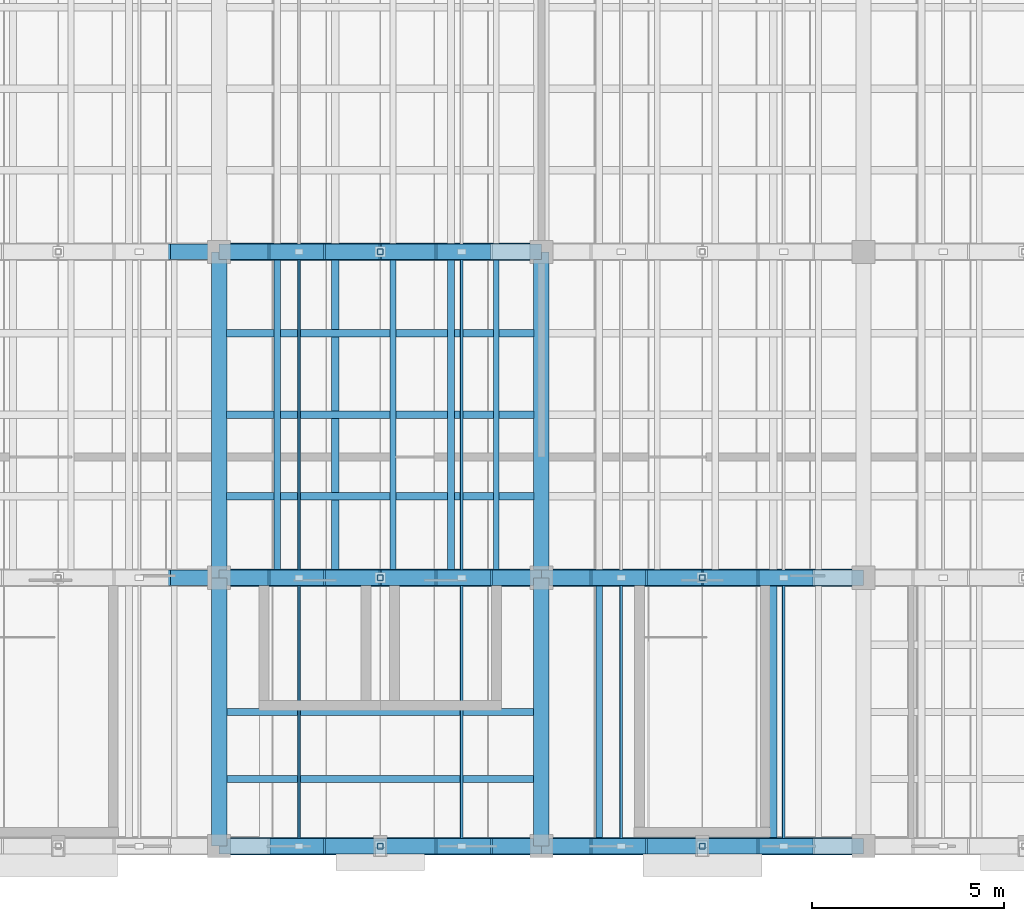
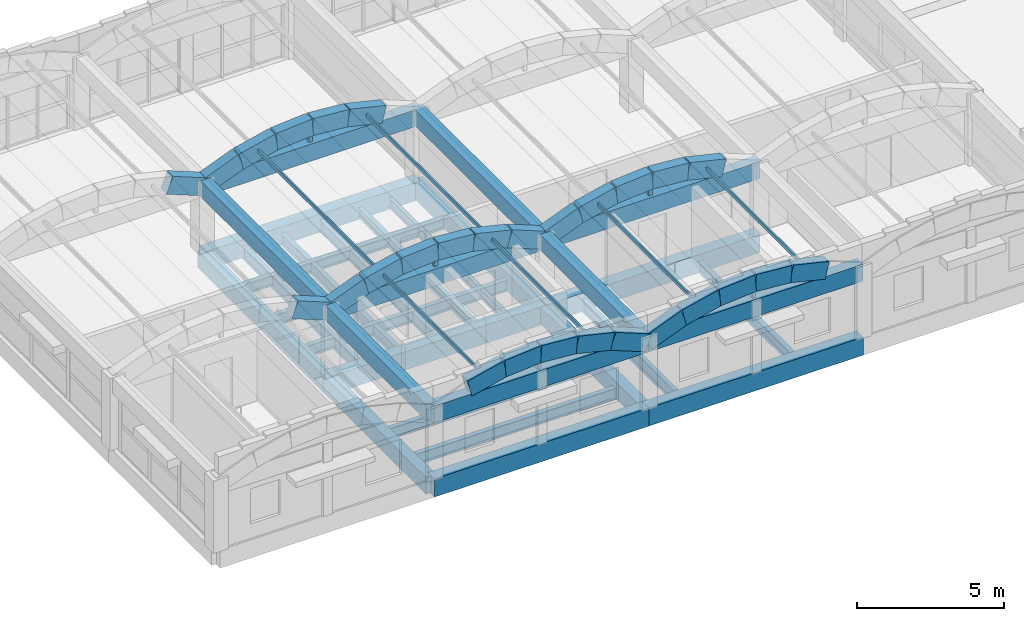
# One storey, part 9 of 40: 39 members, 30 beams.
"""IFC4 building model written with IfcOpenShell, lengths in metres."""

from ifc_helpers import new_model, si_unit, direction, frame, origin, origin_2d, place, context, subcontext, project, spatial, rectangle, hollow_rectangle, i_section, extrude, material, material_profile, profile_set, type_object, element, save


model = new_model("IFC4")

# Units and contexts
model_context = context("Model", 3, precision=1e-05, world=origin(), true_north=direction((0.0, 1.0)))
body_context = subcontext(model_context, "Body", "Model", "MODEL_VIEW")
ifc_project = project(units=[si_unit("LENGTHUNIT", "METRE"), si_unit("AREAUNIT", "SQUARE_METRE"), si_unit("VOLUMEUNIT", "CUBIC_METRE"), si_unit("PLANEANGLEUNIT", "RADIAN"), si_unit("MASSUNIT", "GRAM", prefix="KILO")], contexts=[model_context])

# Site, building, storey
site_placement = place(None, origin())
site = spatial("IfcSite", under=ifc_project, at=site_placement, CompositionType="ELEMENT")
building_placement = place(site_placement, origin())
building = spatial("IfcBuilding", under=site, at=building_placement, Name="Trellovar Central Fire Station", CompositionType="ELEMENT")
storey_placement = place(building_placement, frame((0.0, 0.0, 12.75)))
storey = spatial("IfcBuildingStorey", under=building, at=storey_placement, Name="L04", CompositionType="ELEMENT", Elevation=12.75)

# Beams
ifc_material_1 = material(Name="Concrete C40/50", Category="concrete")
ifc_material_profile_1 = material_profile(ifc_material_1, rectangle(XDim=0.449951171875, YDim=0.75, at=origin_2d()), Name="RC450X750")
ifc_profile_set_1 = profile_set([ifc_material_profile_1], Name="Concrete C40/50")
beam_type_1 = type_object("IfcBeamType", Name="BM-G2", PredefinedType="BEAM", material=ifc_profile_set_1)
beam_1_placement = place(storey_placement, frame((113.89990234375, 9.0, -0.375), z_axis=(1.0, 0.0, 0.0), x_axis=(0.0, 1.0, 0.0)))
element("IfcBeam", 1, at=beam_1_placement, inside=storey, type_object=beam_type_1, Name="L04 beam G-2", PredefinedType="BEAM", context=body_context, shape_type="SweptSolid", body=[
    extrude(rectangle(XDim=0.449951171875, YDim=0.75, at=origin_2d()), origin(), (0.0, 0.0, 1.0), 8.400146484375),
])
beam_2_placement = place(storey_placement, frame((122.300048828125, 9.0, -0.375), z_axis=(1.0, 0.0, 0.0), x_axis=(0.0, 1.0, 0.0)))
element("IfcBeam", 2, at=beam_2_placement, inside=storey, type_object=beam_type_1, Name="L04 beam G-2", PredefinedType="BEAM", context=body_context, shape_type="SweptSolid", body=[
    extrude(rectangle(XDim=0.449951171875, YDim=0.75, at=origin_2d()), origin(), (0.0, 0.0, 1.0), 8.39990234375),
])
beam_3_placement = place(storey_placement, frame((113.89990234375, 16.0, -0.375), z_axis=(1.0, 0.0, 0.0), x_axis=(0.0, 1.0, 0.0)))
element("IfcBeam", 3, at=beam_3_placement, inside=storey, type_object=beam_type_1, Name="L04 beam G-2", PredefinedType="BEAM", context=body_context, shape_type="SweptSolid", body=[
    extrude(rectangle(XDim=0.449951171875, YDim=0.75, at=origin_2d()), origin(), (0.0, 0.0, 1.0), 8.400146484375),
])
beam_4_placement = place(storey_placement, frame((122.300048828125, 16.0, -0.375), z_axis=(1.0, 0.0, 0.0), x_axis=(0.0, 1.0, 0.0)))
element("IfcBeam", 4, at=beam_4_placement, inside=storey, type_object=beam_type_1, Name="L04 beam G-2", PredefinedType="BEAM", context=body_context, shape_type="SweptSolid", body=[
    extrude(rectangle(XDim=0.449951171875, YDim=0.75, at=origin_2d()), origin(), (0.0, 0.0, 1.0), 8.39990234375),
])
beam_5_placement = place(storey_placement, frame((113.89990234375, 24.5, -0.375), z_axis=(1.0, 0.0, 0.0), x_axis=(0.0, 1.0, 0.0)))
element("IfcBeam", 5, at=beam_5_placement, inside=storey, type_object=beam_type_1, Name="L04 beam G-2", PredefinedType="BEAM", context=body_context, shape_type="SweptSolid", body=[
    extrude(rectangle(XDim=0.449951171875, YDim=0.75, at=origin_2d()), origin(), (0.0, 0.0, 1.0), 8.400146484375),
])
ifc_material_2 = material(Name="Concrete C40/50", Category="concrete")
ifc_material_profile_2 = material_profile(ifc_material_2, rectangle(XDim=0.39990234375, YDim=0.699951171875, at=origin_2d()), Name="RC400X700")
ifc_profile_set_2 = profile_set([ifc_material_profile_2], Name="Concrete C40/50")
beam_type_2 = type_object("IfcBeamType", Name="BM-G3", PredefinedType="BEAM", material=ifc_profile_set_2)
beam_6_placement = place(storey_placement, frame((113.89990234375, 9.0, -0.35009765625), z_axis=(0.0, 1.0, 0.0), x_axis=(-1.0, 0.0, 0.0)))
element("IfcBeam", 6, at=beam_6_placement, inside=storey, type_object=beam_type_2, Name="L04 beam G-3", PredefinedType="BEAM", context=body_context, shape_type="SweptSolid", body=[
    extrude(rectangle(XDim=0.39990234375, YDim=0.699951171875, at=origin_2d()), origin(), (0.0, 0.0, 1.0), 7.0),
])
beam_7_placement = place(storey_placement, frame((113.89990234375, 16.0, -0.35009765625), z_axis=(0.0, 1.0, 0.0), x_axis=(-1.0, 0.0, 0.0)))
element("IfcBeam", 7, at=beam_7_placement, inside=storey, type_object=beam_type_2, Name="L04 beam G-3", PredefinedType="BEAM", context=body_context, shape_type="SweptSolid", body=[
    extrude(rectangle(XDim=0.39990234375, YDim=0.699951171875, at=origin_2d()), origin(), (0.0, 0.0, 1.0), 8.5),
])
beam_8_placement = place(storey_placement, frame((122.300048828125, 9.0, -0.35009765625), z_axis=(0.0, 1.0, 0.0), x_axis=(-1.0, 0.0, 0.0)))
element("IfcBeam", 8, at=beam_8_placement, inside=storey, type_object=beam_type_2, Name="L04 beam G-3", PredefinedType="BEAM", context=body_context, shape_type="SweptSolid", body=[
    extrude(rectangle(XDim=0.39990234375, YDim=0.699951171875, at=origin_2d()), origin(), (0.0, 0.0, 1.0), 7.0),
])
beam_9_placement = place(storey_placement, frame((122.300048828125, 16.0, -0.35009765625), z_axis=(0.0, 1.0, 0.0), x_axis=(-1.0, 0.0, 0.0)))
element("IfcBeam", 9, at=beam_9_placement, inside=storey, type_object=beam_type_2, Name="L04 beam G-3", PredefinedType="BEAM", context=body_context, shape_type="SweptSolid", body=[
    extrude(rectangle(XDim=0.39990234375, YDim=0.699951171875, at=origin_2d()), origin(), (0.0, 0.0, 1.0), 8.5),
])
beam_10_placement = place(storey_placement, frame((113.89990234375, 9.0, 2.64990234375), z_axis=(1.0, 0.0, 0.0), x_axis=(0.0, 1.0, 0.0)))
element("IfcBeam", 10, at=beam_10_placement, inside=storey, type_object=beam_type_2, Name="L04 beam G-3", PredefinedType="BEAM", context=body_context, shape_type="SweptSolid", body=[
    extrude(rectangle(XDim=0.39990234375, YDim=0.699951171875, at=origin_2d()), origin(), (0.0, 0.0, 1.0), 8.400146484375),
])
beam_11_placement = place(storey_placement, frame((122.300048828125, 9.0, 2.64990234375), z_axis=(1.0, 0.0, 0.0), x_axis=(0.0, 1.0, 0.0)))
element("IfcBeam", 11, at=beam_11_placement, inside=storey, type_object=beam_type_2, Name="L04 beam G-3", PredefinedType="BEAM", context=body_context, shape_type="SweptSolid", body=[
    extrude(rectangle(XDim=0.39990234375, YDim=0.699951171875, at=origin_2d()), origin(), (0.0, 0.0, 1.0), 8.39990234375),
])
beam_12_placement = place(storey_placement, frame((113.89990234375, 16.0, 2.64990234375), z_axis=(1.0, 0.0, 0.0), x_axis=(0.0, 1.0, 0.0)))
element("IfcBeam", 12, at=beam_12_placement, inside=storey, type_object=beam_type_2, Name="L04 beam G-3", PredefinedType="BEAM", context=body_context, shape_type="SweptSolid", body=[
    extrude(rectangle(XDim=0.39990234375, YDim=0.699951171875, at=origin_2d()), origin(), (0.0, 0.0, 1.0), 8.400146484375),
])
beam_13_placement = place(storey_placement, frame((122.300048828125, 16.0, 2.64990234375), z_axis=(1.0, 0.0, 0.0), x_axis=(0.0, 1.0, 0.0)))
element("IfcBeam", 13, at=beam_13_placement, inside=storey, type_object=beam_type_2, Name="L04 beam G-3", PredefinedType="BEAM", context=body_context, shape_type="SweptSolid", body=[
    extrude(rectangle(XDim=0.39990234375, YDim=0.699951171875, at=origin_2d()), origin(), (0.0, 0.0, 1.0), 8.39990234375),
])
beam_14_placement = place(storey_placement, frame((113.89990234375, 24.5, 2.64990234375), z_axis=(1.0, 0.0, 0.0), x_axis=(0.0, 1.0, 0.0)))
element("IfcBeam", 14, at=beam_14_placement, inside=storey, type_object=beam_type_2, Name="L04 beam G-3", PredefinedType="BEAM", context=body_context, shape_type="SweptSolid", body=[
    extrude(rectangle(XDim=0.39990234375, YDim=0.699951171875, at=origin_2d()), origin(), (0.0, 0.0, 1.0), 8.400146484375),
])
ifc_material_3 = material(Name="Concrete C40/50", Category="concrete")
ifc_material_profile_3 = material_profile(ifc_material_3, rectangle(XDim=0.39990234375, YDim=0.64990234375, at=origin_2d()), Name="RC400X650")
ifc_profile_set_3 = profile_set([ifc_material_profile_3], Name="Concrete C40/50")
beam_type_3 = type_object("IfcBeamType", Name="BM-G4", PredefinedType="BEAM", material=ifc_profile_set_3)
beam_15_placement = place(storey_placement, frame((113.89990234375, 9.0, 2.675048828125), z_axis=(0.0, 1.0, 0.0), x_axis=(-1.0, 0.0, 0.0)))
element("IfcBeam", 15, at=beam_15_placement, inside=storey, type_object=beam_type_3, Name="L04 beam G-4", PredefinedType="BEAM", context=body_context, shape_type="SweptSolid", body=[
    extrude(rectangle(XDim=0.39990234375, YDim=0.64990234375, at=origin_2d()), origin(), (0.0, 0.0, 1.0), 7.0),
])
beam_16_placement = place(storey_placement, frame((113.89990234375, 16.0, 2.675048828125), z_axis=(0.0, 1.0, 0.0), x_axis=(-1.0, 0.0, 0.0)))
element("IfcBeam", 16, at=beam_16_placement, inside=storey, type_object=beam_type_3, Name="L04 beam G-4", PredefinedType="BEAM", context=body_context, shape_type="SweptSolid", body=[
    extrude(rectangle(XDim=0.39990234375, YDim=0.64990234375, at=origin_2d()), origin(), (0.0, 0.0, 1.0), 8.5),
])
beam_17_placement = place(storey_placement, frame((122.300048828125, 9.0, 2.675048828125), z_axis=(0.0, 1.0, 0.0), x_axis=(-1.0, 0.0, 0.0)))
element("IfcBeam", 17, at=beam_17_placement, inside=storey, type_object=beam_type_3, Name="L04 beam G-4", PredefinedType="BEAM", context=body_context, shape_type="SweptSolid", body=[
    extrude(rectangle(XDim=0.39990234375, YDim=0.64990234375, at=origin_2d()), origin(), (0.0, 0.0, 1.0), 7.0),
])
beam_18_placement = place(storey_placement, frame((122.300048828125, 16.0, 2.675048828125), z_axis=(0.0, 1.0, 0.0), x_axis=(-1.0, 0.0, 0.0)))
element("IfcBeam", 18, at=beam_18_placement, inside=storey, type_object=beam_type_3, Name="L04 beam G-4", PredefinedType="BEAM", context=body_context, shape_type="SweptSolid", body=[
    extrude(rectangle(XDim=0.39990234375, YDim=0.64990234375, at=origin_2d()), origin(), (0.0, 0.0, 1.0), 8.5),
])
ifc_material_4 = material(Name="Steel ASTM A992 Grade 50", Category="steel")
ifc_material_profile_4 = material_profile(ifc_material_4, i_section(OverallWidth=0.15283203125, OverallDepth=0.45458984375, WebThickness=0.008056640625, FlangeThickness=0.01318359375, FilletRadius=0.0126953125, at=origin_2d()), Name="W18X40")
ifc_profile_set_4 = profile_set([ifc_material_profile_4], Name="Steel ASTM A992 Grade 50")
beam_type_4 = type_object("IfcBeamType", Name="BM-SW10", PredefinedType="JOIST", material=ifc_profile_set_4)
beam_19_placement = place(storey_placement, frame((118.43603515625, 16.219970703125, -0.477294921875), z_axis=(0.0, 1.0, 0.0), x_axis=(-1.0, 0.0, 0.0)))
element("IfcBeam", 19, at=beam_19_placement, inside=storey, type_object=beam_type_4, Name="L04 secondary steel deck joist", PredefinedType="JOIST", context=body_context, shape_type="SweptSolid", body=[
    extrude(i_section(OverallWidth=0.15283203125, OverallDepth=0.45458984375, WebThickness=0.008056640625, FlangeThickness=0.01318359375, FilletRadius=0.0126953125, at=origin_2d()), origin(), (0.0, 0.0, 1.0), 8.06005859375),
])
ifc_material_5 = material(Name="Steel ASTM A992 Grade 50", Category="steel")
ifc_material_profile_5 = material_profile(ifc_material_5, i_section(OverallWidth=0.177490234375, OverallDepth=0.40380859375, WebThickness=0.007568359375, FlangeThickness=0.010986328125, FilletRadius=0.011474609375, at=origin_2d()), Name="W16X36")
ifc_profile_set_5 = profile_set([ifc_material_profile_5], Name="Steel ASTM A992 Grade 50")
beam_type_5 = type_object("IfcBeamType", Name="BM-SW11", PredefinedType="JOIST", material=ifc_profile_set_5)
beam_20_placement = place(storey_placement, frame((119.947998046875, 16.219970703125, -0.451904296875), z_axis=(0.0, 1.0, 0.0), x_axis=(-1.0, 0.0, 0.0)))
element("IfcBeam", 20, at=beam_20_placement, inside=storey, type_object=beam_type_5, Name="L04 secondary steel deck joist", PredefinedType="JOIST", context=body_context, shape_type="SweptSolid", body=[
    extrude(i_section(OverallWidth=0.177490234375, OverallDepth=0.40380859375, WebThickness=0.007568359375, FlangeThickness=0.010986328125, FilletRadius=0.011474609375, at=origin_2d()), origin(), (0.0, 0.0, 1.0), 8.06005859375),
])
ifc_material_6 = material(Name="Steel ASTM A992 Grade 50", Category="steel")
ifc_material_profile_6 = material_profile(ifc_material_6, i_section(OverallWidth=0.140380859375, OverallDepth=0.4033203125, WebThickness=0.007080078125, FlangeThickness=0.01123046875, FilletRadius=0.011474609375, at=origin_2d()), Name="W16X31")
ifc_profile_set_6 = profile_set([ifc_material_profile_6], Name="Steel ASTM A992 Grade 50")
beam_type_6 = type_object("IfcBeamType", Name="BM-SW12", PredefinedType="JOIST", material=ifc_profile_set_6)
beam_21_placement = place(storey_placement, frame((121.1240234375, 16.219970703125, -0.45166015625), z_axis=(0.0, 1.0, 0.0), x_axis=(-1.0, 0.0, 0.0)))
element("IfcBeam", 21, at=beam_21_placement, inside=storey, type_object=beam_type_6, Name="L04 secondary steel deck joist", PredefinedType="JOIST", context=body_context, shape_type="SweptSolid", body=[
    extrude(i_section(OverallWidth=0.140380859375, OverallDepth=0.4033203125, WebThickness=0.007080078125, FlangeThickness=0.01123046875, FilletRadius=0.011474609375, at=origin_2d()), origin(), (0.0, 0.0, 1.0), 8.06005859375),
])
ifc_material_7 = material(Name="Steel ASTM A992 Grade 50", Category="steel")
ifc_material_profile_7 = material_profile(ifc_material_7, i_section(OverallWidth=0.166015625, OverallDepth=0.529052734375, WebThickness=0.009765625, FlangeThickness=0.013671875, FilletRadius=0.013916015625, at=origin_2d()), Name="W21X50")
ifc_profile_set_7 = profile_set([ifc_material_profile_7], Name="Steel ASTM A992 Grade 50")
beam_type_7 = type_object("IfcBeamType", Name="BM-SW8", PredefinedType="JOIST", material=ifc_profile_set_7)
beam_22_placement = place(storey_placement, frame((115.412109375, 16.219970703125, -0.514404296875), z_axis=(0.0, 1.0, 0.0), x_axis=(-1.0, 0.0, 0.0)))
element("IfcBeam", 22, at=beam_22_placement, inside=storey, type_object=beam_type_7, Name="L04 secondary steel deck joist", PredefinedType="JOIST", context=body_context, shape_type="SweptSolid", body=[
    extrude(i_section(OverallWidth=0.166015625, OverallDepth=0.529052734375, WebThickness=0.009765625, FlangeThickness=0.013671875, FilletRadius=0.013916015625, at=origin_2d()), origin(), (0.0, 0.0, 1.0), 8.06005859375),
])
beam_23_placement = place(storey_placement, frame((123.81201171875, 9.219970703125, -0.514404296875), z_axis=(0.0, 1.0, 0.0), x_axis=(-1.0, 0.0, 0.0)))
element("IfcBeam", 23, at=beam_23_placement, inside=storey, type_object=beam_type_7, Name="L04 secondary steel deck joist", PredefinedType="JOIST", context=body_context, shape_type="SweptSolid", body=[
    extrude(i_section(OverallWidth=0.166015625, OverallDepth=0.529052734375, WebThickness=0.009765625, FlangeThickness=0.013671875, FilletRadius=0.013916015625, at=origin_2d()), origin(), (0.0, 0.0, 1.0), 6.56005859375),
])
ifc_material_8 = material(Name="Steel ASTM A992 Grade 50", Category="steel")
ifc_material_profile_8 = material_profile(ifc_material_8, i_section(OverallWidth=0.1904296875, OverallDepth=0.457275390625, WebThickness=0.009033203125, FlangeThickness=0.014404296875, FilletRadius=0.0126953125, at=origin_2d()), Name="W18X50")
ifc_profile_set_8 = profile_set([ifc_material_profile_8], Name="Steel ASTM A992 Grade 50")
beam_type_8 = type_object("IfcBeamType", Name="BM-SW9", PredefinedType="JOIST", material=ifc_profile_set_8)
for number, where, z_axis, x_axis, name in (
    (24, (114.094970703125, 10.75, -0.478515625), (1.0, 0.0, 0.0), (0.0, 1.0, 0.0), "L04 beam SB-9"),
    (25, (114.094970703125, 12.5, -0.478515625), (1.0, 0.0, 0.0), (0.0, 1.0, 0.0), "L04 beam SB-9"),
    (26, (114.094970703125, 18.125, -0.478515625), (1.0, 0.0, 0.0), (0.0, 1.0, 0.0), "L04 beam SB-9"),
    (27, (114.094970703125, 20.25, -0.478515625), (1.0, 0.0, 0.0), (0.0, 1.0, 0.0), "L04 beam SB-9"),
    (28, (114.094970703125, 22.375, -0.478515625), (1.0, 0.0, 0.0), (0.0, 1.0, 0.0), "L04 beam SB-9"),
):
    element("IfcBeam", number, at=place(storey_placement, frame(where, z_axis=z_axis, x_axis=x_axis)), inside=storey, type_object=beam_type_8, Name=name, PredefinedType="JOIST", context=body_context, shape_type="SweptSolid", body=[
        extrude(i_section(OverallWidth=0.1904296875, OverallDepth=0.457275390625, WebThickness=0.009033203125, FlangeThickness=0.014404296875, FilletRadius=0.0126953125, at=origin_2d()), origin(), (0.0, 0.0, 1.0), 8.010009765625),
    ])
beam_24_placement = place(storey_placement, frame((116.924072265625, 16.219970703125, -0.478515625), z_axis=(0.0, 1.0, 0.0), x_axis=(-1.0, 0.0, 0.0)))
element("IfcBeam", 29, at=beam_24_placement, inside=storey, type_object=beam_type_8, Name="L04 secondary steel deck joist", PredefinedType="JOIST", context=body_context, shape_type="SweptSolid", body=[
    extrude(i_section(OverallWidth=0.1904296875, OverallDepth=0.457275390625, WebThickness=0.009033203125, FlangeThickness=0.014404296875, FilletRadius=0.0126953125, at=origin_2d()), origin(), (0.0, 0.0, 1.0), 8.06005859375),
])
beam_25_placement = place(storey_placement, frame((128.347900390625, 9.219970703125, -0.478515625), z_axis=(0.0, 1.0, 0.0), x_axis=(-1.0, 0.0, 0.0)))
element("IfcBeam", 30, at=beam_25_placement, inside=storey, type_object=beam_type_8, Name="L04 secondary steel deck joist", PredefinedType="JOIST", context=body_context, shape_type="SweptSolid", body=[
    extrude(i_section(OverallWidth=0.1904296875, OverallDepth=0.457275390625, WebThickness=0.009033203125, FlangeThickness=0.014404296875, FilletRadius=0.0126953125, at=origin_2d()), origin(), (0.0, 0.0, 1.0), 6.56005859375),
])

# Members
ifc_material_9 = material(Name="Concrete C40/50", Category="concrete")
ifc_material_profile_9 = material_profile(ifc_material_9, rectangle(XDim=0.39990234375, YDim=0.699951171875, at=origin_2d()), Name="RC400X700")
ifc_profile_set_9 = profile_set([ifc_material_profile_9], Name="Concrete C40/50")
member_type_1 = type_object("IfcMemberType", Name="MEM-LR1", PredefinedType="CHORD", material=ifc_profile_set_9)
for number, where, z_axis, x_axis, name in (
    (31, (112.5, 16.0, 3.235595703125), (0.929457187308, 0.0, -0.368929989242), (0.0, 1.0, 0.0), "V5 Catalan vault rib 1 chord 6"),
    (32, (112.5, 24.5, 3.235595703125), (0.929457187308, 0.0, -0.368929989242), (0.0, 1.0, 0.0), "V5 Catalan vault rib 1 chord 6"),
):
    element("IfcMember", number, at=place(storey_placement, frame(where, z_axis=z_axis, x_axis=x_axis)), inside=storey, type_object=member_type_1, Name=name, PredefinedType="CHORD", context=body_context, shape_type="SweptSolid", body=[
        extrude(rectangle(XDim=0.39990234375, YDim=0.699951171875, at=origin_2d()), origin(), (0.0, 0.0, 1.0), 1.506103515625),
    ])
member_1_placement = place(storey_placement, frame((115.300048828125, 9.0, 3.235595703125), z_axis=(0.972815315724, 0.0, 0.23158229961), x_axis=(0.0, 1.0, 0.0)))
element("IfcMember", 33, at=member_1_placement, inside=storey, type_object=member_type_1, Name="V5 Catalan vault rib 2 chord 2", PredefinedType="CHORD", context=body_context, shape_type="SweptSolid", body=[
    extrude(rectangle(XDim=0.39990234375, YDim=0.699951171875, at=origin_2d()), origin(), (0.0, 0.0, 1.0), 1.43896484375),
])
member_2_placement = place(storey_placement, frame((116.699951171875, 9.0, 3.56884765625), z_axis=(0.996867568235, 0.0, 0.07908888292), x_axis=(0.0, 1.0, 0.0)))
element("IfcMember", 34, at=member_2_placement, inside=storey, type_object=member_type_1, Name="V5 Catalan vault rib 2 chord 3", PredefinedType="CHORD", context=body_context, shape_type="SweptSolid", body=[
    extrude(rectangle(XDim=0.39990234375, YDim=0.699951171875, at=origin_2d()), origin(), (0.0, 0.0, 1.0), 1.404541015625),
])
member_3_placement = place(storey_placement, frame((118.10009765625, 9.0, 3.679931640625), z_axis=(0.996866480688, 0.0, -0.079102589591), x_axis=(0.0, 1.0, 0.0)))
element("IfcMember", 35, at=member_3_placement, inside=storey, type_object=member_type_1, Name="V5 Catalan vault rib 2 chord 4", PredefinedType="CHORD", context=body_context, shape_type="SweptSolid", body=[
    extrude(rectangle(XDim=0.39990234375, YDim=0.699951171875, at=origin_2d()), origin(), (0.0, 0.0, 1.0), 1.404296875),
])
member_4_placement = place(storey_placement, frame((119.5, 9.0, 3.56884765625), z_axis=(0.972815315724, 0.0, -0.23158229961), x_axis=(0.0, 1.0, 0.0)))
element("IfcMember", 36, at=member_4_placement, inside=storey, type_object=member_type_1, Name="V5 Catalan vault rib 2 chord 5", PredefinedType="CHORD", context=body_context, shape_type="SweptSolid", body=[
    extrude(rectangle(XDim=0.39990234375, YDim=0.699951171875, at=origin_2d()), origin(), (0.0, 0.0, 1.0), 1.43896484375),
])
for number, where, z_axis, x_axis, name in (
    (37, (120.89990234375, 9.0, 3.235595703125), (0.929479245072, 0.0, -0.368874413563), (0.0, 1.0, 0.0), "V5 Catalan vault rib 2 chord 6"),
    (38, (113.89990234375, 16.0, 2.679931640625), (0.929479245072, 0.0, 0.368874413563), (0.0, 1.0, 0.0), "V5 Catalan vault rib 2 chord 1"),
):
    element("IfcMember", number, at=place(storey_placement, frame(where, z_axis=z_axis, x_axis=x_axis)), inside=storey, type_object=member_type_1, Name=name, PredefinedType="CHORD", context=body_context, shape_type="SweptSolid", body=[
        extrude(rectangle(XDim=0.39990234375, YDim=0.699951171875, at=origin_2d()), origin(), (0.0, 0.0, 1.0), 1.50634765625),
    ])
member_5_placement = place(storey_placement, frame((115.300048828125, 16.0, 3.235595703125), z_axis=(0.972815315724, 0.0, 0.23158229961), x_axis=(0.0, 1.0, 0.0)))
element("IfcMember", 39, at=member_5_placement, inside=storey, type_object=member_type_1, Name="V5 Catalan vault rib 2 chord 2", PredefinedType="CHORD", context=body_context, shape_type="SweptSolid", body=[
    extrude(rectangle(XDim=0.39990234375, YDim=0.699951171875, at=origin_2d()), origin(), (0.0, 0.0, 1.0), 1.43896484375),
])
member_6_placement = place(storey_placement, frame((116.699951171875, 16.0, 3.56884765625), z_axis=(0.996867568235, 0.0, 0.07908888292), x_axis=(0.0, 1.0, 0.0)))
element("IfcMember", 40, at=member_6_placement, inside=storey, type_object=member_type_1, Name="V5 Catalan vault rib 2 chord 3", PredefinedType="CHORD", context=body_context, shape_type="SweptSolid", body=[
    extrude(rectangle(XDim=0.39990234375, YDim=0.699951171875, at=origin_2d()), origin(), (0.0, 0.0, 1.0), 1.404541015625),
])
member_7_placement = place(storey_placement, frame((118.10009765625, 16.0, 3.679931640625), z_axis=(0.996866480688, 0.0, -0.079102589591), x_axis=(0.0, 1.0, 0.0)))
element("IfcMember", 41, at=member_7_placement, inside=storey, type_object=member_type_1, Name="V5 Catalan vault rib 2 chord 4", PredefinedType="CHORD", context=body_context, shape_type="SweptSolid", body=[
    extrude(rectangle(XDim=0.39990234375, YDim=0.699951171875, at=origin_2d()), origin(), (0.0, 0.0, 1.0), 1.404296875),
])
member_8_placement = place(storey_placement, frame((119.5, 16.0, 3.56884765625), z_axis=(0.972815315724, 0.0, -0.23158229961), x_axis=(0.0, 1.0, 0.0)))
element("IfcMember", 42, at=member_8_placement, inside=storey, type_object=member_type_1, Name="V5 Catalan vault rib 2 chord 5", PredefinedType="CHORD", context=body_context, shape_type="SweptSolid", body=[
    extrude(rectangle(XDim=0.39990234375, YDim=0.699951171875, at=origin_2d()), origin(), (0.0, 0.0, 1.0), 1.43896484375),
])
for number, where, z_axis, x_axis, name in (
    (43, (120.89990234375, 16.0, 3.235595703125), (0.929479245072, 0.0, -0.368874413563), (0.0, 1.0, 0.0), "V5 Catalan vault rib 2 chord 6"),
    (44, (113.89990234375, 24.5, 2.679931640625), (0.929479245072, 0.0, 0.368874413563), (0.0, 1.0, 0.0), "V5 Catalan vault rib 2 chord 1"),
):
    element("IfcMember", number, at=place(storey_placement, frame(where, z_axis=z_axis, x_axis=x_axis)), inside=storey, type_object=member_type_1, Name=name, PredefinedType="CHORD", context=body_context, shape_type="SweptSolid", body=[
        extrude(rectangle(XDim=0.39990234375, YDim=0.699951171875, at=origin_2d()), origin(), (0.0, 0.0, 1.0), 1.50634765625),
    ])
member_9_placement = place(storey_placement, frame((115.300048828125, 24.5, 3.235595703125), z_axis=(0.972815315724, 0.0, 0.23158229961), x_axis=(0.0, 1.0, 0.0)))
element("IfcMember", 45, at=member_9_placement, inside=storey, type_object=member_type_1, Name="V5 Catalan vault rib 2 chord 2", PredefinedType="CHORD", context=body_context, shape_type="SweptSolid", body=[
    extrude(rectangle(XDim=0.39990234375, YDim=0.699951171875, at=origin_2d()), origin(), (0.0, 0.0, 1.0), 1.43896484375),
])
member_10_placement = place(storey_placement, frame((116.699951171875, 24.5, 3.56884765625), z_axis=(0.996867568235, 0.0, 0.07908888292), x_axis=(0.0, 1.0, 0.0)))
element("IfcMember", 46, at=member_10_placement, inside=storey, type_object=member_type_1, Name="V5 Catalan vault rib 2 chord 3", PredefinedType="CHORD", context=body_context, shape_type="SweptSolid", body=[
    extrude(rectangle(XDim=0.39990234375, YDim=0.699951171875, at=origin_2d()), origin(), (0.0, 0.0, 1.0), 1.404541015625),
])
member_11_placement = place(storey_placement, frame((118.10009765625, 24.5, 3.679931640625), z_axis=(0.996866480688, 0.0, -0.079102589591), x_axis=(0.0, 1.0, 0.0)))
element("IfcMember", 47, at=member_11_placement, inside=storey, type_object=member_type_1, Name="V5 Catalan vault rib 2 chord 4", PredefinedType="CHORD", context=body_context, shape_type="SweptSolid", body=[
    extrude(rectangle(XDim=0.39990234375, YDim=0.699951171875, at=origin_2d()), origin(), (0.0, 0.0, 1.0), 1.404296875),
])
member_12_placement = place(storey_placement, frame((119.5, 24.5, 3.56884765625), z_axis=(0.972815315724, 0.0, -0.23158229961), x_axis=(0.0, 1.0, 0.0)))
element("IfcMember", 48, at=member_12_placement, inside=storey, type_object=member_type_1, Name="V5 Catalan vault rib 2 chord 5", PredefinedType="CHORD", context=body_context, shape_type="SweptSolid", body=[
    extrude(rectangle(XDim=0.39990234375, YDim=0.699951171875, at=origin_2d()), origin(), (0.0, 0.0, 1.0), 1.43896484375),
])
member_13_placement = place(storey_placement, frame((122.300048828125, 9.0, 2.679931640625), z_axis=(0.929457187308, 0.0, 0.368929989242), x_axis=(0.0, 1.0, 0.0)))
element("IfcMember", 49, at=member_13_placement, inside=storey, type_object=member_type_1, Name="V5 Catalan vault rib 3 chord 1", PredefinedType="CHORD", context=body_context, shape_type="SweptSolid", body=[
    extrude(rectangle(XDim=0.39990234375, YDim=0.699951171875, at=origin_2d()), origin(), (0.0, 0.0, 1.0), 1.506103515625),
])
member_14_placement = place(storey_placement, frame((123.699951171875, 9.0, 3.235595703125), z_axis=(0.972824412258, 0.0, 0.231544084173), x_axis=(0.0, 1.0, 0.0)))
element("IfcMember", 50, at=member_14_placement, inside=storey, type_object=member_type_1, Name="V5 Catalan vault rib 3 chord 2", PredefinedType="CHORD", context=body_context, shape_type="SweptSolid", body=[
    extrude(rectangle(XDim=0.39990234375, YDim=0.699951171875, at=origin_2d()), origin(), (0.0, 0.0, 1.0), 1.439208984375),
])
for number, where, z_axis, x_axis, name in (
    (51, (125.10009765625, 9.0, 3.56884765625), (0.996866480688, 0.0, 0.079102589591), (0.0, 1.0, 0.0), "V5 Catalan vault rib 3 chord 3"),
    (52, (126.5, 9.0, 3.679931640625), (0.996866480688, 0.0, -0.079102589591), (0.0, 1.0, 0.0), "V5 Catalan vault rib 3 chord 4"),
):
    element("IfcMember", number, at=place(storey_placement, frame(where, z_axis=z_axis, x_axis=x_axis)), inside=storey, type_object=member_type_1, Name=name, PredefinedType="CHORD", context=body_context, shape_type="SweptSolid", body=[
        extrude(rectangle(XDim=0.39990234375, YDim=0.699951171875, at=origin_2d()), origin(), (0.0, 0.0, 1.0), 1.404296875),
    ])
member_15_placement = place(storey_placement, frame((127.89990234375, 9.0, 3.56884765625), z_axis=(0.972824412258, 0.0, -0.231544084173), x_axis=(0.0, 1.0, 0.0)))
element("IfcMember", 53, at=member_15_placement, inside=storey, type_object=member_type_1, Name="V5 Catalan vault rib 3 chord 5", PredefinedType="CHORD", context=body_context, shape_type="SweptSolid", body=[
    extrude(rectangle(XDim=0.39990234375, YDim=0.699951171875, at=origin_2d()), origin(), (0.0, 0.0, 1.0), 1.439208984375),
])
member_16_placement = place(storey_placement, frame((122.300048828125, 16.0, 2.679931640625), z_axis=(0.929457187308, 0.0, 0.368929989242), x_axis=(0.0, 1.0, 0.0)))
element("IfcMember", 54, at=member_16_placement, inside=storey, type_object=member_type_1, Name="V5 Catalan vault rib 3 chord 1", PredefinedType="CHORD", context=body_context, shape_type="SweptSolid", body=[
    extrude(rectangle(XDim=0.39990234375, YDim=0.699951171875, at=origin_2d()), origin(), (0.0, 0.0, 1.0), 1.506103515625),
])
member_17_placement = place(storey_placement, frame((123.699951171875, 16.0, 3.235595703125), z_axis=(0.972824412258, 0.0, 0.231544084173), x_axis=(0.0, 1.0, 0.0)))
element("IfcMember", 55, at=member_17_placement, inside=storey, type_object=member_type_1, Name="V5 Catalan vault rib 3 chord 2", PredefinedType="CHORD", context=body_context, shape_type="SweptSolid", body=[
    extrude(rectangle(XDim=0.39990234375, YDim=0.699951171875, at=origin_2d()), origin(), (0.0, 0.0, 1.0), 1.439208984375),
])
for number, where, z_axis, x_axis, name in (
    (56, (125.10009765625, 16.0, 3.56884765625), (0.996866480688, 0.0, 0.079102589591), (0.0, 1.0, 0.0), "V5 Catalan vault rib 3 chord 3"),
    (57, (126.5, 16.0, 3.679931640625), (0.996866480688, 0.0, -0.079102589591), (0.0, 1.0, 0.0), "V5 Catalan vault rib 3 chord 4"),
):
    element("IfcMember", number, at=place(storey_placement, frame(where, z_axis=z_axis, x_axis=x_axis)), inside=storey, type_object=member_type_1, Name=name, PredefinedType="CHORD", context=body_context, shape_type="SweptSolid", body=[
        extrude(rectangle(XDim=0.39990234375, YDim=0.699951171875, at=origin_2d()), origin(), (0.0, 0.0, 1.0), 1.404296875),
    ])
member_18_placement = place(storey_placement, frame((127.89990234375, 16.0, 3.56884765625), z_axis=(0.972824412258, 0.0, -0.231544084173), x_axis=(0.0, 1.0, 0.0)))
element("IfcMember", 58, at=member_18_placement, inside=storey, type_object=member_type_1, Name="V5 Catalan vault rib 3 chord 5", PredefinedType="CHORD", context=body_context, shape_type="SweptSolid", body=[
    extrude(rectangle(XDim=0.39990234375, YDim=0.699951171875, at=origin_2d()), origin(), (0.0, 0.0, 1.0), 1.439208984375),
])
ifc_material_10 = material(Name="Steel ASTM A500 Grade C", Category="steel")
ifc_material_profile_10 = material_profile(ifc_material_10, hollow_rectangle(XDim=0.076171875, YDim=0.15234375, WallThickness=0.005859375, InnerFilletRadius=0.005859375, OuterFilletRadius=0.01171875, at=origin_2d()), Name="HSS6X3X1/4")
ifc_profile_set_10 = profile_set([ifc_material_profile_10], Name="Steel ASTM A500 Grade C")
member_type_2 = type_object("IfcMemberType", Name="MEM-PU2", PredefinedType="PURLIN", material=ifc_profile_set_10)
member_19_placement = place(storey_placement, frame((115.980224609375, 9.0, 3.4375), z_axis=(0.0, 1.0, 0.0), x_axis=(-1.0, 0.0, 0.0)))
element("IfcMember", 59, at=member_19_placement, inside=storey, type_object=member_type_2, Name="V5 vault purlin 2-2", PredefinedType="PURLIN", context=body_context, shape_type="SweptSolid", body=[
    extrude(hollow_rectangle(XDim=0.076171875, YDim=0.15234375, WallThickness=0.005859375, InnerFilletRadius=0.005859375, OuterFilletRadius=0.01171875, at=origin_2d()), origin(), (0.0, 0.0, 1.0), 7.0),
])
member_20_placement = place(storey_placement, frame((115.980224609375, 16.0, 3.4375), z_axis=(0.0, 1.0, 0.0), x_axis=(-1.0, 0.0, 0.0)))
element("IfcMember", 60, at=member_20_placement, inside=storey, type_object=member_type_2, Name="V5 vault purlin 2-2", PredefinedType="PURLIN", context=body_context, shape_type="SweptSolid", body=[
    extrude(hollow_rectangle(XDim=0.076171875, YDim=0.15234375, WallThickness=0.005859375, InnerFilletRadius=0.005859375, OuterFilletRadius=0.01171875, at=origin_2d()), origin(), (0.0, 0.0, 1.0), 8.5),
])
member_21_placement = place(storey_placement, frame((120.2197265625, 9.0, 3.4375), z_axis=(0.0, 1.0, 0.0), x_axis=(-1.0, 0.0, 0.0)))
element("IfcMember", 61, at=member_21_placement, inside=storey, type_object=member_type_2, Name="V5 vault purlin 2-5", PredefinedType="PURLIN", context=body_context, shape_type="SweptSolid", body=[
    extrude(hollow_rectangle(XDim=0.076171875, YDim=0.15234375, WallThickness=0.005859375, InnerFilletRadius=0.005859375, OuterFilletRadius=0.01171875, at=origin_2d()), origin(), (0.0, 0.0, 1.0), 7.0),
])
member_22_placement = place(storey_placement, frame((120.2197265625, 16.0, 3.4375), z_axis=(0.0, 1.0, 0.0), x_axis=(-1.0, 0.0, 0.0)))
element("IfcMember", 62, at=member_22_placement, inside=storey, type_object=member_type_2, Name="V5 vault purlin 2-5", PredefinedType="PURLIN", context=body_context, shape_type="SweptSolid", body=[
    extrude(hollow_rectangle(XDim=0.076171875, YDim=0.15234375, WallThickness=0.005859375, InnerFilletRadius=0.005859375, OuterFilletRadius=0.01171875, at=origin_2d()), origin(), (0.0, 0.0, 1.0), 8.5),
])
for number, where, z_axis, x_axis, name in (
    (63, (124.38037109375, 9.0, 3.4375), (0.0, 1.0, 0.0), (-1.0, 0.0, 0.0), "V5 vault purlin 3-2"),
    (64, (128.61962890625, 9.0, 3.4375), (0.0, 1.0, 0.0), (-1.0, 0.0, 0.0), "V5 vault purlin 3-5"),
):
    element("IfcMember", number, at=place(storey_placement, frame(where, z_axis=z_axis, x_axis=x_axis)), inside=storey, type_object=member_type_2, Name=name, PredefinedType="PURLIN", context=body_context, shape_type="SweptSolid", body=[
        extrude(hollow_rectangle(XDim=0.076171875, YDim=0.15234375, WallThickness=0.005859375, InnerFilletRadius=0.005859375, OuterFilletRadius=0.01171875, at=origin_2d()), origin(), (0.0, 0.0, 1.0), 7.0),
    ])
ifc_material_11 = material(Name="Steel ASTM A500 Grade C", Category="steel")
ifc_material_profile_11 = material_profile(ifc_material_11, hollow_rectangle(XDim=0.15234375, YDim=0.15234375, WallThickness=0.0087890625, InnerFilletRadius=0.0087890625, OuterFilletRadius=0.017822265625, at=origin_2d()), Name="HSS6X6X3/8")
ifc_profile_set_11 = profile_set([ifc_material_profile_11], Name="Steel ASTM A500 Grade C")
member_type_3 = type_object("IfcMemberType", Name="MEM-ST1", PredefinedType="STRUT", material=ifc_profile_set_11)
for number, where, z_axis, x_axis, name in (
    (65, (118.10009765625, 9.0, 2.699951171875), (0.0, 0.0, 1.0), (1.0, 0.0, 0.0), "V5 Catalan vault apex post 2"),
    (66, (118.10009765625, 16.0, 2.699951171875), (0.0, 0.0, 1.0), (1.0, 0.0, 0.0), "V5 Catalan vault apex post 2"),
    (67, (118.10009765625, 24.5, 2.699951171875), (0.0, 0.0, 1.0), (1.0, 0.0, 0.0), "V5 Catalan vault apex post 2"),
    (68, (126.5, 9.0, 2.699951171875), (0.0, 0.0, 1.0), (1.0, 0.0, 0.0), "V5 Catalan vault apex post 3"),
    (69, (126.5, 16.0, 2.699951171875), (0.0, 0.0, 1.0), (1.0, 0.0, 0.0), "V5 Catalan vault apex post 3"),
):
    element("IfcMember", number, at=place(storey_placement, frame(where, z_axis=z_axis, x_axis=x_axis)), inside=storey, type_object=member_type_3, Name=name, PredefinedType="STRUT", context=body_context, shape_type="SweptSolid", body=[
        extrude(hollow_rectangle(XDim=0.15234375, YDim=0.15234375, WallThickness=0.0087890625, InnerFilletRadius=0.0087890625, OuterFilletRadius=0.017822265625, at=origin_2d()), origin(), (0.0, 0.0, 1.0), 0.97998046875),
    ])

save(model, "model.ifc")
